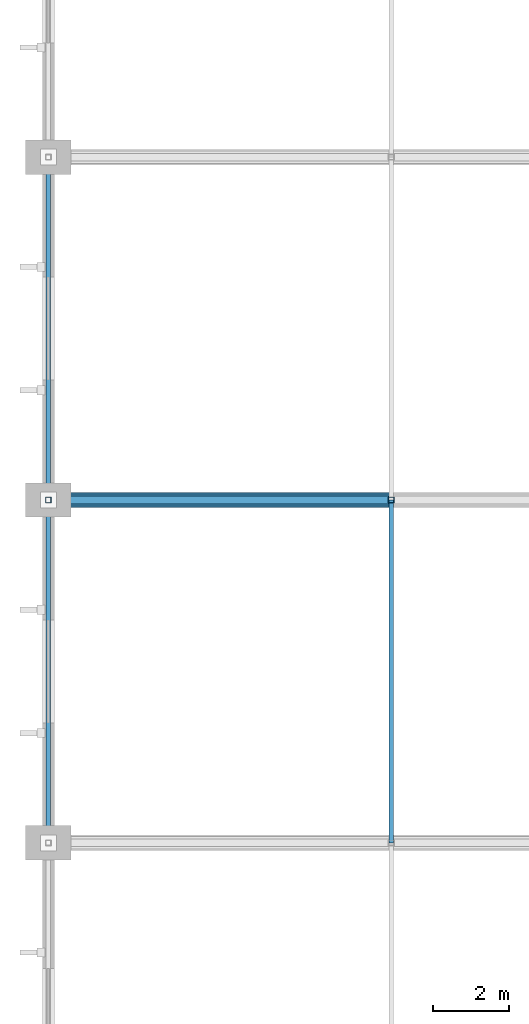
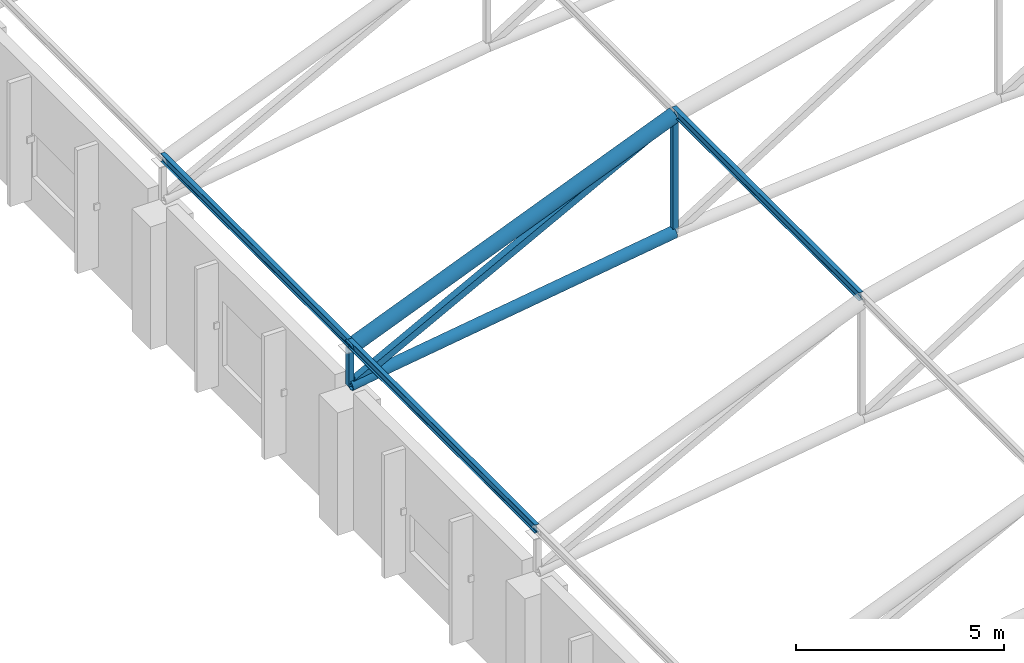
# One storey, part 40 of 167: 8 members.
"""IFC4 building model written with IfcOpenShell, lengths in metres."""

from ifc_helpers import new_model, si_unit, direction, frame, origin, origin_2d, place, context, subcontext, project, spatial, hollow_rectangle, hollow_circle, i_section, extrude, material, material_profile, profile_set, type_object, element, save


model = new_model("IFC4")

# Units and contexts
model_context = context("Model", 3, precision=1e-05, world=origin(), true_north=direction((0.0, 1.0)))
body_context = subcontext(model_context, "Body", "Model", "MODEL_VIEW")
ifc_project = project(units=[si_unit("LENGTHUNIT", "METRE"), si_unit("AREAUNIT", "SQUARE_METRE"), si_unit("VOLUMEUNIT", "CUBIC_METRE"), si_unit("PLANEANGLEUNIT", "RADIAN"), si_unit("MASSUNIT", "GRAM", prefix="KILO")], contexts=[model_context])

# Site, building, storey
site_placement = place(None, origin())
site = spatial("IfcSite", under=ifc_project, at=site_placement, CompositionType="ELEMENT")
building_placement = place(site_placement, origin())
building = spatial("IfcBuilding", under=site, at=building_placement, Name="Dornveld Trade and Exhibition Forum", CompositionType="ELEMENT")
storey_placement = place(building_placement, frame((0.0, 0.0, 16.800048828125)))
storey = spatial("IfcBuildingStorey", under=building, at=storey_placement, Name="L03", CompositionType="ELEMENT", Elevation=16.800048828125)

# Members
ifc_material_1 = material(Name="Steel S355J2", Category="steel")
ifc_material_profile_1 = material_profile(ifc_material_1, hollow_circle(Radius=0.161865234375, WallThickness=0.01611328125, at=origin_2d()), Name="CHS 323.9x16")
ifc_profile_set_1 = profile_set([ifc_material_profile_1], Name="Steel S355J2")
member_type_1 = type_object("IfcMemberType", Name="MEM-ARCH-BC", PredefinedType="CHORD", material=ifc_profile_set_1)
member_1_placement = place(storey_placement, frame((27.0, 72.0, 3.949951171875), z_axis=(0.989204758987, 0.0, 0.146539908551), x_axis=(0.0, 1.0, 0.0)))
element("IfcMember", 1, at=member_1_placement, inside=storey, type_object=member_type_1, Name="H3 truss 5 tie chord 1", PredefinedType="CHORD", context=body_context, shape_type="SweptSolid", body=[
    extrude(hollow_circle(Radius=0.161865234375, WallThickness=0.01611328125, at=origin_2d()), origin(), (0.0, 0.0, 1.0), 9.09814453125),
])
ifc_material_2 = material(Name="Steel S355J2", Category="steel")
ifc_material_profile_2 = material_profile(ifc_material_2, hollow_rectangle(XDim=0.14990234375, YDim=0.14990234375, WallThickness=0.008056640625, at=origin_2d()), Name="SHS 150x150x8")
ifc_profile_set_2 = profile_set([ifc_material_profile_2], Name="Steel S355J2")
member_type_2 = type_object("IfcMemberType", Name="MEM-ARCH-STR", PredefinedType="STRUT", material=ifc_profile_set_2)
member_2_placement = place(storey_placement, frame((27.0, 72.0, 3.949951171875), z_axis=(0.0, 0.0, 1.0), x_axis=(1.0, 0.0, 0.0)))
element("IfcMember", 2, at=member_2_placement, inside=storey, type_object=member_type_2, Name="H3 truss 5 strut 1", PredefinedType="STRUT", context=body_context, shape_type="SweptSolid", body=[
    extrude(hollow_rectangle(XDim=0.14990234375, YDim=0.14990234375, WallThickness=0.008056640625, at=origin_2d()), origin(), (0.0, 0.0, 1.0), 1.10009765625),
])
member_3_placement = place(storey_placement, frame((36.0, 72.0, 5.283203125), z_axis=(0.0, 0.0, 1.0), x_axis=(1.0, 0.0, 0.0)))
element("IfcMember", 3, at=member_3_placement, inside=storey, type_object=member_type_2, Name="H3 truss 5 strut 2", PredefinedType="STRUT", context=body_context, shape_type="SweptSolid", body=[
    extrude(hollow_rectangle(XDim=0.14990234375, YDim=0.14990234375, WallThickness=0.008056640625, at=origin_2d()), origin(), (0.0, 0.0, 1.0), 3.433349609375),
])
ifc_material_3 = material(Name="Steel S355J2", Category="steel")
ifc_material_profile_3 = material_profile(ifc_material_3, hollow_circle(Radius=0.203125, WallThickness=0.02001953125, at=origin_2d()), Name="CHS 406.4x20")
ifc_profile_set_3 = profile_set([ifc_material_profile_3], Name="Steel S355J2")
member_type_3 = type_object("IfcMemberType", Name="MEM-ARCH-TC", PredefinedType="CHORD", material=ifc_profile_set_3)
member_4_placement = place(storey_placement, frame((27.0, 72.0, 5.050048828125), z_axis=(0.926098211611, 0.0, 0.377282523383), x_axis=(0.0, 1.0, 0.0)))
element("IfcMember", 4, at=member_4_placement, inside=storey, type_object=member_type_3, Name="H3 truss 5 top chord 1", PredefinedType="CHORD", context=body_context, shape_type="SweptSolid", body=[
    extrude(hollow_circle(Radius=0.203125, WallThickness=0.02001953125, at=origin_2d()), origin(), (0.0, 0.0, 1.0), 9.71826171875),
])
ifc_material_4 = material(Name="Steel S355J2", Category="steel")
ifc_material_profile_4 = material_profile(ifc_material_4, hollow_rectangle(XDim=0.199951171875, YDim=0.199951171875, WallThickness=0.010009765625, at=origin_2d()), Name="SHS 200x200x10")
ifc_profile_set_4 = profile_set([ifc_material_profile_4], Name="Steel S355J2")
member_type_4 = type_object("IfcMemberType", Name="MEM-ARCH-WEB", PredefinedType="BRACE", material=ifc_profile_set_4)
member_5_placement = place(storey_placement, frame((27.0, 72.0, 3.949951171875), z_axis=(0.883710934211, 0.0, 0.468033102201), x_axis=(0.0, 1.0, 0.0)))
element("IfcMember", 5, at=member_5_placement, inside=storey, type_object=member_type_4, Name="H3 truss 5 web 1", PredefinedType="BRACE", context=body_context, shape_type="SweptSolid", body=[
    extrude(hollow_rectangle(XDim=0.199951171875, YDim=0.199951171875, WallThickness=0.010009765625, at=origin_2d()), origin(), (0.0, 0.0, 1.0), 10.184326171875),
])
ifc_material_5 = material(Name="Steel S355J2", Category="steel")
ifc_material_profile_5 = material_profile(ifc_material_5, i_section(OverallWidth=0.1201171875, OverallDepth=0.239990234375, WebThickness=0.006103515625, FlangeThickness=0.009765625, FilletRadius=0.014892578125, at=origin_2d()), Name="IPE 240")
ifc_profile_set_5 = profile_set([ifc_material_profile_5], Name="Steel S355J2")
member_type_5 = type_object("IfcMemberType", Name="MEM-PURLIN-240", PredefinedType="PURLIN", material=ifc_profile_set_5)
for number, where, z_axis, x_axis, name in (
    (6, (27.0, 63.0, 5.181884765625), (0.0, 1.0, 0.0), (-1.0, 0.0, 0.0), "H3 bay 4 roof purlin 1"),
    (7, (36.0, 63.0, 8.8486328125), (0.0, 1.0, 0.0), (-1.0, 0.0, 0.0), "H3 bay 4 roof purlin 2"),
    (8, (27.0, 72.0, 5.181884765625), (0.0, 1.0, 0.0), (-1.0, 0.0, 0.0), "H3 bay 5 roof purlin 1"),
):
    element("IfcMember", number, at=place(storey_placement, frame(where, z_axis=z_axis, x_axis=x_axis)), inside=storey, type_object=member_type_5, Name=name, PredefinedType="PURLIN", context=body_context, shape_type="SweptSolid", body=[
        extrude(i_section(OverallWidth=0.1201171875, OverallDepth=0.239990234375, WebThickness=0.006103515625, FlangeThickness=0.009765625, FilletRadius=0.014892578125, at=origin_2d()), origin(), (0.0, 0.0, 1.0), 9.0),
    ])

save(model, "model.ifc")
